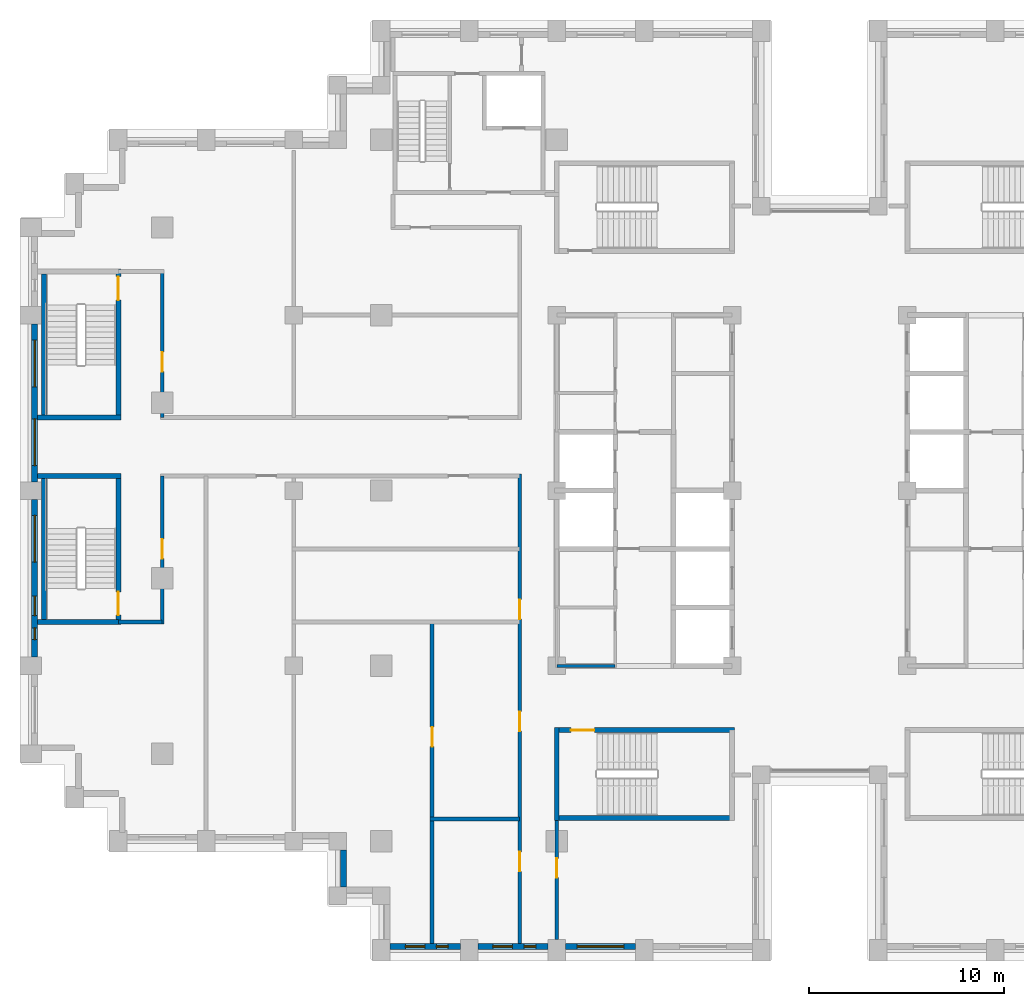
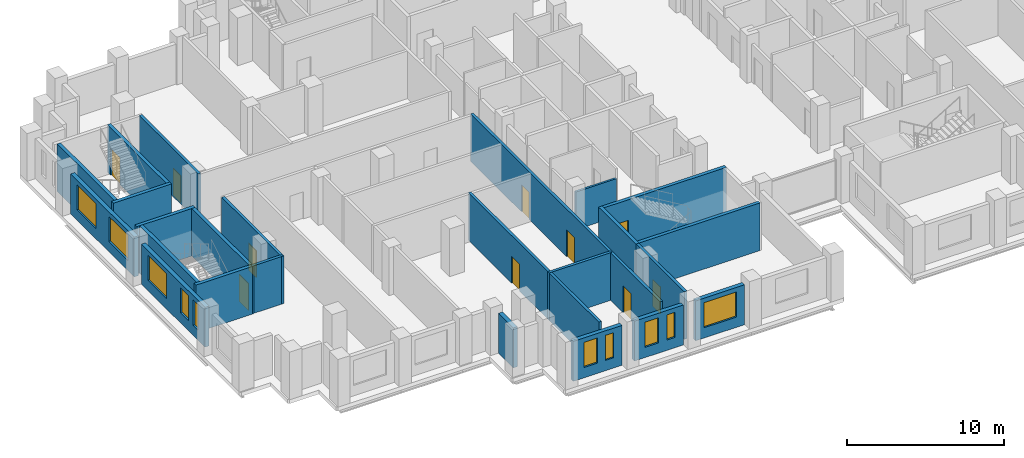
# One storey, part 6 of 15: 24 walls, 10 doors, 10 windows, 20 openings.
"""IFC4 building model written with IfcOpenShell, lengths in metres."""

from ifc_helpers import new_model, si_unit, direction, frame, frame_2d, origin, place, context, subcontext, project, spatial, rectangle, extrude, material, layer, layer_set, type_object, element, fill, save


model = new_model("IFC4")

# Units and contexts
model_context = context("Model", 3, precision=1e-05, world=origin(), true_north=direction((0.0, 1.0)))
body_context = subcontext(model_context, "Body", "Model", "MODEL_VIEW")
ifc_project = project(units=[si_unit("LENGTHUNIT", "METRE"), si_unit("AREAUNIT", "SQUARE_METRE"), si_unit("VOLUMEUNIT", "CUBIC_METRE"), si_unit("PLANEANGLEUNIT", "RADIAN"), si_unit("MASSUNIT", "GRAM", prefix="KILO")], contexts=[model_context])

# Site, building, storey
site_placement = place(None, origin())
site = spatial("IfcSite", under=ifc_project, at=site_placement, CompositionType="ELEMENT")
building_placement = place(site_placement, origin())
building = spatial("IfcBuilding", under=site, at=building_placement, Name="Corbelhall Arena Tower", CompositionType="ELEMENT")
storey_placement = place(building_placement, frame((0.0, 0.0, 134.0)))
storey = spatial("IfcBuildingStorey", under=building, at=storey_placement, Name="L25", CompositionType="ELEMENT", Elevation=134.0)

# Wall, openings, windows
ifc_material_1 = material(Name="Precast concrete C40/50 with granite facing", Category="masonry")
ifc_layer_1 = layer(ifc_material_1, 0.300048828125)
ifc_layer_set_1 = layer_set([ifc_layer_1], Name="EV-IW1 Infill panel 300")
wall_type_1 = type_object("IfcWallType", Name="EV-IW1 Infill panel 300", PredefinedType="SOLIDWALL", material=ifc_layer_set_1)
wall_1_placement = place(storey_placement, frame((-40.300048828125, 8.550048828125, 0.0), z_axis=(0.0, 0.0, 1.0), x_axis=(0.0, -1.0, 0.0)))
wall_1 = element("IfcWall", 1, at=wall_1_placement, inside=storey, type_object=wall_type_1, Name="Infill panel IW1", PredefinedType="SOLIDWALL", context=body_context, shape_type="SweptSolid", body=[
    extrude(rectangle(XDim=8.10009765625, YDim=0.300048828125, at=frame_2d((4.050048828125, 0.0))), origin(), (0.0, 0.0, 1.0), 3.10009765625),
])
opening_1_placement = place(wall_1_placement, frame((0.824951171875, 0.0, 0.800048828125)))
opening_1 = element("IfcOpeningElement", 2, at=opening_1_placement, cuts=wall_1, Name="Opening WN1", PredefinedType="OPENING", context=body_context, shape_type="SweptSolid", body=[
    extrude(rectangle(XDim=2.39990234375, YDim=1.949951171875, at=frame_2d((1.199951171875, 0.97509765625))), frame((0.0, 0.14990234375, 0.0), z_axis=(0.0, -1.0, 0.0), x_axis=(1.0, 0.0, 0.0)), (0.0, 0.0, 1.0), 0.300048828125),
])
opening_2_placement = place(wall_1_placement, frame((4.875, 0.0, 0.800048828125)))
opening_2 = element("IfcOpeningElement", 3, at=opening_2_placement, cuts=wall_1, Name="Opening WN1", PredefinedType="OPENING", context=body_context, shape_type="SweptSolid", body=[
    extrude(rectangle(XDim=2.39990234375, YDim=1.949951171875, at=frame_2d((1.199951171875, 0.97509765625))), frame((0.0, 0.14990234375, 0.0), z_axis=(0.0, -1.0, 0.0), x_axis=(1.0, 0.0, 0.0)), (0.0, 0.0, 1.0), 0.300048828125),
])
ifc_material_2 = material(Name="Aluminium black anodised", Category="aluminium")
window_type_1 = type_object("IfcWindowType", Name="EV-WN1 Office window", PartitioningType="SINGLE_PANEL", PredefinedType="WINDOW", material=ifc_material_2)
window_1_placement = place(opening_1_placement, origin())
window_1 = element("IfcWindow", 4, at=window_1_placement, inside=storey, type_object=window_type_1, Name="Window WN1", OverallHeight=1.949951171875, OverallWidth=2.39990234375, PartitioningType="SINGLE_PANEL", PredefinedType="WINDOW", context=body_context, shape_type="SweptSolid", body=[
    extrude(rectangle(XDim=2.39990234375, YDim=1.949951171875, at=frame_2d((1.199951171875, 0.97509765625))), frame((0.0, 0.030029296875, 0.0), z_axis=(0.0, -1.0, 0.0), x_axis=(1.0, 0.0, 0.0)), (0.0, 0.0, 1.0), 0.06005859375),
])
fill(opening_1, window_1)
window_2_placement = place(opening_2_placement, origin())
window_2 = element("IfcWindow", 5, at=window_2_placement, inside=storey, type_object=window_type_1, Name="Window WN1", OverallHeight=1.949951171875, OverallWidth=2.39990234375, PartitioningType="SINGLE_PANEL", PredefinedType="WINDOW", context=body_context, shape_type="SweptSolid", body=[
    extrude(rectangle(XDim=2.39990234375, YDim=1.949951171875, at=frame_2d((1.199951171875, 0.97509765625))), frame((0.0, 0.030029296875, 0.0), z_axis=(0.0, -1.0, 0.0), x_axis=(1.0, 0.0, 0.0)), (0.0, 0.0, 1.0), 0.06005859375),
])
fill(opening_2, window_2)

wall_2_placement = place(storey_placement, frame((-40.300048828125, -0.449951171875, 0.0), z_axis=(0.0, 0.0, 1.0), x_axis=(0.0, -1.0, 0.0)))
wall_2 = element("IfcWall", 6, at=wall_2_placement, inside=storey, type_object=wall_type_1, Name="Infill panel IW1", PredefinedType="SOLIDWALL", context=body_context, shape_type="SweptSolid", body=[
    extrude(rectangle(XDim=8.10009765625, YDim=0.300048828125, at=frame_2d((4.050048828125, 0.0))), origin(), (0.0, 0.0, 1.0), 3.10009765625),
])
opening_3_placement = place(wall_2_placement, frame((0.824951171875, 0.0, 0.800048828125)))
opening_3 = element("IfcOpeningElement", 7, at=opening_3_placement, cuts=wall_2, Name="Opening WN1", PredefinedType="OPENING", context=body_context, shape_type="SweptSolid", body=[
    extrude(rectangle(XDim=2.39990234375, YDim=1.949951171875, at=frame_2d((1.199951171875, 0.97509765625))), frame((0.0, 0.14990234375, 0.0), z_axis=(0.0, -1.0, 0.0), x_axis=(1.0, 0.0, 0.0)), (0.0, 0.0, 1.0), 0.300048828125),
])
opening_4_placement = place(wall_2_placement, frame((4.97509765625, 0.0, 0.800048828125)))
opening_4 = element("IfcOpeningElement", 8, at=opening_4_placement, cuts=wall_2, Name="Opening WN6", PredefinedType="OPENING", context=body_context, shape_type="SweptSolid", body=[
    extrude(rectangle(XDim=1.0, YDim=1.949951171875, at=frame_2d((0.5, 0.97509765625))), frame((0.0, 0.14990234375, 0.0), z_axis=(0.0, -1.0, 0.0), x_axis=(1.0, 0.0, 0.0)), (0.0, 0.0, 1.0), 0.300048828125),
])
opening_5_placement = place(wall_2_placement, frame((6.60009765625, 0.0, 0.800048828125)))
opening_5 = element("IfcOpeningElement", 9, at=opening_5_placement, cuts=wall_2, Name="Opening WN5", PredefinedType="OPENING", context=body_context, shape_type="SweptSolid", body=[
    extrude(rectangle(XDim=0.60009765625, YDim=1.949951171875, at=frame_2d((0.300048828125, 0.97509765625))), frame((0.0, 0.14990234375, 0.0), z_axis=(0.0, -1.0, 0.0), x_axis=(1.0, 0.0, 0.0)), (0.0, 0.0, 1.0), 0.300048828125),
])
window_3_placement = place(opening_3_placement, origin())
window_3 = element("IfcWindow", 10, at=window_3_placement, inside=storey, type_object=window_type_1, Name="Window WN1", OverallHeight=1.949951171875, OverallWidth=2.39990234375, PartitioningType="SINGLE_PANEL", PredefinedType="WINDOW", context=body_context, shape_type="SweptSolid", body=[
    extrude(rectangle(XDim=2.39990234375, YDim=1.949951171875, at=frame_2d((1.199951171875, 0.97509765625))), frame((0.0, 0.030029296875, 0.0), z_axis=(0.0, -1.0, 0.0), x_axis=(1.0, 0.0, 0.0)), (0.0, 0.0, 1.0), 0.06005859375),
])
fill(opening_3, window_3)
window_type_2 = type_object("IfcWindowType", Name="EV-WN5 Office window 600", PartitioningType="SINGLE_PANEL", PredefinedType="WINDOW", material=ifc_material_2)
window_4_placement = place(opening_5_placement, origin())
window_4 = element("IfcWindow", 11, at=window_4_placement, inside=storey, type_object=window_type_2, Name="Window WN5", OverallHeight=1.949951171875, OverallWidth=0.60009765625, PartitioningType="SINGLE_PANEL", PredefinedType="WINDOW", context=body_context, shape_type="SweptSolid", body=[
    extrude(rectangle(XDim=0.60009765625, YDim=1.949951171875, at=frame_2d((0.300048828125, 0.97509765625))), frame((0.0, 0.030029296875, 0.0), z_axis=(0.0, -1.0, 0.0), x_axis=(1.0, 0.0, 0.0)), (0.0, 0.0, 1.0), 0.06005859375),
])
fill(opening_5, window_4)
window_type_3 = type_object("IfcWindowType", Name="EV-WN6 Office window 1000", PartitioningType="SINGLE_PANEL", PredefinedType="WINDOW", material=ifc_material_2)
window_5_placement = place(opening_4_placement, origin())
window_5 = element("IfcWindow", 12, at=window_5_placement, inside=storey, type_object=window_type_3, Name="Window WN6", OverallHeight=1.949951171875, OverallWidth=1.0, PartitioningType="SINGLE_PANEL", PredefinedType="WINDOW", context=body_context, shape_type="SweptSolid", body=[
    extrude(rectangle(XDim=1.0, YDim=1.949951171875, at=frame_2d((0.5, 0.97509765625))), frame((0.0, 0.030029296875, 0.0), z_axis=(0.0, -1.0, 0.0), x_axis=(1.0, 0.0, 0.0)), (0.0, 0.0, 1.0), 0.06005859375),
])
fill(opening_4, window_5)

# Wall
wall_3_placement = place(storey_placement, frame((-24.449951171875, -18.449951171875, 0.0), z_axis=(0.0, 0.0, 1.0), x_axis=(0.0, -1.0, 0.0)))
element("IfcWall", 13, at=wall_3_placement, inside=storey, type_object=wall_type_1, Name="Infill panel IW1", PredefinedType="SOLIDWALL", context=body_context, shape_type="SweptSolid", body=[
    extrude(rectangle(XDim=1.900146484375, YDim=0.300048828125, at=frame_2d((0.9501953125, 0.0))), origin(), (0.0, 0.0, 1.0), 3.10009765625),
])

# Wall, openings, windows
wall_4_placement = place(storey_placement, frame((-22.050048828125, -23.39990234375, 0.0), z_axis=(0.0, 0.0, 1.0), x_axis=(1.0, 0.0, 0.0)))
wall_4 = element("IfcWall", 14, at=wall_4_placement, inside=storey, type_object=wall_type_1, Name="Infill panel IW1", PredefinedType="SOLIDWALL", context=body_context, shape_type="SweptSolid", body=[
    extrude(rectangle(XDim=3.60009765625, YDim=0.300048828125, at=frame_2d((1.800048828125, 0.0))), origin(), (0.0, 0.0, 1.0), 3.10009765625),
])
opening_6_placement = place(wall_4_placement, frame((0.77490234375, 0.0, 0.800048828125)))
opening_6 = element("IfcOpeningElement", 15, at=opening_6_placement, cuts=wall_4, Name="Opening WN6", PredefinedType="OPENING", context=body_context, shape_type="SweptSolid", body=[
    extrude(rectangle(XDim=1.0, YDim=1.949951171875, at=frame_2d((0.5, 0.97509765625))), frame((0.0, 0.14990234375, 0.0), z_axis=(0.0, -1.0, 0.0), x_axis=(1.0, 0.0, 0.0)), (0.0, 0.0, 1.0), 0.300048828125),
])
opening_7_placement = place(wall_4_placement, frame((2.375, 0.0, 0.800048828125)))
opening_7 = element("IfcOpeningElement", 16, at=opening_7_placement, cuts=wall_4, Name="Opening WN5", PredefinedType="OPENING", context=body_context, shape_type="SweptSolid", body=[
    extrude(rectangle(XDim=0.60009765625, YDim=1.949951171875, at=frame_2d((0.300048828125, 0.97509765625))), frame((0.0, 0.14990234375, 0.0), z_axis=(0.0, -1.0, 0.0), x_axis=(1.0, 0.0, 0.0)), (0.0, 0.0, 1.0), 0.300048828125),
])
window_6_placement = place(opening_7_placement, origin())
window_6 = element("IfcWindow", 17, at=window_6_placement, inside=storey, type_object=window_type_2, Name="Window WN5", OverallHeight=1.949951171875, OverallWidth=0.60009765625, PartitioningType="SINGLE_PANEL", PredefinedType="WINDOW", context=body_context, shape_type="SweptSolid", body=[
    extrude(rectangle(XDim=0.60009765625, YDim=1.949951171875, at=frame_2d((0.300048828125, 0.97509765625))), frame((0.0, 0.030029296875, 0.0), z_axis=(0.0, -1.0, 0.0), x_axis=(1.0, 0.0, 0.0)), (0.0, 0.0, 1.0), 0.06005859375),
])
fill(opening_7, window_6)
window_7_placement = place(opening_6_placement, origin())
window_7 = element("IfcWindow", 18, at=window_7_placement, inside=storey, type_object=window_type_3, Name="Window WN6", OverallHeight=1.949951171875, OverallWidth=1.0, PartitioningType="SINGLE_PANEL", PredefinedType="WINDOW", context=body_context, shape_type="SweptSolid", body=[
    extrude(rectangle(XDim=1.0, YDim=1.949951171875, at=frame_2d((0.5, 0.97509765625))), frame((0.0, 0.030029296875, 0.0), z_axis=(0.0, -1.0, 0.0), x_axis=(1.0, 0.0, 0.0)), (0.0, 0.0, 1.0), 0.06005859375),
])
fill(opening_6, window_7)

wall_5_placement = place(storey_placement, frame((-17.550048828125, -23.39990234375, 0.0), z_axis=(0.0, 0.0, 1.0), x_axis=(1.0, 0.0, 0.0)))
wall_5 = element("IfcWall", 19, at=wall_5_placement, inside=storey, type_object=wall_type_1, Name="Infill panel IW1", PredefinedType="SOLIDWALL", context=body_context, shape_type="SweptSolid", body=[
    extrude(rectangle(XDim=3.60009765625, YDim=0.300048828125, at=frame_2d((1.800048828125, 0.0))), origin(), (0.0, 0.0, 1.0), 3.10009765625),
])
opening_8_placement = place(wall_5_placement, frame((0.77490234375, 0.0, 0.800048828125)))
opening_8 = element("IfcOpeningElement", 20, at=opening_8_placement, cuts=wall_5, Name="Opening WN6", PredefinedType="OPENING", context=body_context, shape_type="SweptSolid", body=[
    extrude(rectangle(XDim=1.0, YDim=1.949951171875, at=frame_2d((0.5, 0.97509765625))), frame((0.0, 0.14990234375, 0.0), z_axis=(0.0, -1.0, 0.0), x_axis=(1.0, 0.0, 0.0)), (0.0, 0.0, 1.0), 0.300048828125),
])
opening_9_placement = place(wall_5_placement, frame((2.375, 0.0, 0.800048828125)))
opening_9 = element("IfcOpeningElement", 21, at=opening_9_placement, cuts=wall_5, Name="Opening WN5", PredefinedType="OPENING", context=body_context, shape_type="SweptSolid", body=[
    extrude(rectangle(XDim=0.60009765625, YDim=1.949951171875, at=frame_2d((0.300048828125, 0.97509765625))), frame((0.0, 0.14990234375, 0.0), z_axis=(0.0, -1.0, 0.0), x_axis=(1.0, 0.0, 0.0)), (0.0, 0.0, 1.0), 0.300048828125),
])
window_8_placement = place(opening_9_placement, origin())
window_8 = element("IfcWindow", 22, at=window_8_placement, inside=storey, type_object=window_type_2, Name="Window WN5", OverallHeight=1.949951171875, OverallWidth=0.60009765625, PartitioningType="SINGLE_PANEL", PredefinedType="WINDOW", context=body_context, shape_type="SweptSolid", body=[
    extrude(rectangle(XDim=0.60009765625, YDim=1.949951171875, at=frame_2d((0.300048828125, 0.97509765625))), frame((0.0, 0.030029296875, 0.0), z_axis=(0.0, -1.0, 0.0), x_axis=(1.0, 0.0, 0.0)), (0.0, 0.0, 1.0), 0.06005859375),
])
fill(opening_9, window_8)
window_9_placement = place(opening_8_placement, origin())
window_9 = element("IfcWindow", 23, at=window_9_placement, inside=storey, type_object=window_type_3, Name="Window WN6", OverallHeight=1.949951171875, OverallWidth=1.0, PartitioningType="SINGLE_PANEL", PredefinedType="WINDOW", context=body_context, shape_type="SweptSolid", body=[
    extrude(rectangle(XDim=1.0, YDim=1.949951171875, at=frame_2d((0.5, 0.97509765625))), frame((0.0, 0.030029296875, 0.0), z_axis=(0.0, -1.0, 0.0), x_axis=(1.0, 0.0, 0.0)), (0.0, 0.0, 1.0), 0.06005859375),
])
fill(opening_8, window_9)

# Wall, opening, window
wall_6_placement = place(storey_placement, frame((-13.050048828125, -23.39990234375, 0.0), z_axis=(0.0, 0.0, 1.0), x_axis=(1.0, 0.0, 0.0)))
wall_6 = element("IfcWall", 24, at=wall_6_placement, inside=storey, type_object=wall_type_1, Name="Infill panel IW1", PredefinedType="SOLIDWALL", context=body_context, shape_type="SweptSolid", body=[
    extrude(rectangle(XDim=3.60009765625, YDim=0.300048828125, at=frame_2d((1.800048828125, 0.0))), origin(), (0.0, 0.0, 1.0), 3.10009765625),
])
opening_10_placement = place(wall_6_placement, frame((0.60009765625, 0.0, 0.800048828125)))
opening_10 = element("IfcOpeningElement", 25, at=opening_10_placement, cuts=wall_6, Name="Opening WN1", PredefinedType="OPENING", context=body_context, shape_type="SweptSolid", body=[
    extrude(rectangle(XDim=2.39990234375, YDim=1.949951171875, at=frame_2d((1.199951171875, 0.97509765625))), frame((0.0, 0.14990234375, 0.0), z_axis=(0.0, -1.0, 0.0), x_axis=(1.0, 0.0, 0.0)), (0.0, 0.0, 1.0), 0.300048828125),
])
window_10_placement = place(opening_10_placement, origin())
window_10 = element("IfcWindow", 26, at=window_10_placement, inside=storey, type_object=window_type_1, Name="Window WN1", OverallHeight=1.949951171875, OverallWidth=2.39990234375, PartitioningType="SINGLE_PANEL", PredefinedType="WINDOW", context=body_context, shape_type="SweptSolid", body=[
    extrude(rectangle(XDim=2.39990234375, YDim=1.949951171875, at=frame_2d((1.199951171875, 0.97509765625))), frame((0.0, 0.030029296875, 0.0), z_axis=(0.0, -1.0, 0.0), x_axis=(1.0, 0.0, 0.0)), (0.0, 0.0, 1.0), 0.06005859375),
])
fill(opening_10, window_10)

# Wall
ifc_material_3 = material(Name="Gypsum board on steel stud, acoustic", Category="steel")
ifc_layer_2 = layer(ifc_material_3, 0.199951171875)
ifc_layer_set_2 = layer_set([ifc_layer_2], Name="IN-W-DM200")
wall_type_2 = type_object("IfcWallType", Name="IN-W-DM200", PredefinedType="PARTITIONING", material=ifc_layer_set_2)
wall_7_placement = place(storey_placement, frame((-33.75, -6.75, 0.0), z_axis=(0.0, 0.0, 1.0), x_axis=(-1.0, 0.0, 0.0)))
element("IfcWall", 27, at=wall_7_placement, inside=storey, type_object=wall_type_2, Name="Partition 003", PredefinedType="PARTITIONING", context=body_context, shape_type="SweptSolid", body=[
    extrude(rectangle(XDim=2.25, YDim=0.199951171875, at=frame_2d((1.125, 0.0))), origin(), (0.0, 0.0, 1.0), 3.699951171875),
])

# Wall, opening, door
wall_8_placement = place(storey_placement, frame((-33.75, 0.75, 0.0), z_axis=(0.0, 0.0, 1.0), x_axis=(0.0, -1.0, 0.0)))
wall_8 = element("IfcWall", 28, at=wall_8_placement, inside=storey, type_object=wall_type_2, Name="Partition 004", PredefinedType="PARTITIONING", context=body_context, shape_type="SweptSolid", body=[
    extrude(rectangle(XDim=7.60009765625, YDim=0.199951171875, at=frame_2d((3.800048828125, 0.0))), origin(), (0.0, 0.0, 1.0), 3.699951171875),
])
opening_11_placement = place(wall_8_placement, frame((3.25, 0.0, 0.0)))
opening_11 = element("IfcOpeningElement", 29, at=opening_11_placement, cuts=wall_8, Name="Opening 06044", PredefinedType="OPENING", context=body_context, shape_type="SweptSolid", body=[
    extrude(rectangle(XDim=1.0, YDim=2.10009765625, at=frame_2d((0.5, 1.050048828125))), frame((0.0, 0.10009765625, 0.0), z_axis=(0.0, -1.0, 0.0), x_axis=(1.0, 0.0, 0.0)), (0.0, 0.0, 1.0), 0.199951171875),
])
ifc_material_4 = material(Name="Steel door set", Category="steel")
door_type_1 = type_object("IfcDoorType", Name="IN-D-SW100", OperationType="NOTDEFINED", PredefinedType="DOOR", material=ifc_material_4)
door_1_placement = place(opening_11_placement, origin())
door_1 = element("IfcDoor", 30, at=door_1_placement, inside=storey, type_object=door_type_1, Name="Door 044", OperationType="SINGLE_SWING_LEFT", OverallHeight=2.10009765625, OverallWidth=1.0, PredefinedType="DOOR", context=body_context, shape_type="SweptSolid", body=[
    extrude(rectangle(XDim=1.0, YDim=2.10009765625, at=frame_2d((0.5, 1.050048828125))), frame((0.0, 0.02490234375, 0.0), z_axis=(0.0, -1.0, 0.0), x_axis=(1.0, 0.0, 0.0)), (0.0, 0.0, 1.0), 0.050048828125),
])
fill(opening_11, door_1)

wall_9_placement = place(storey_placement, frame((-33.75, 11.25, 0.0), z_axis=(0.0, 0.0, 1.0), x_axis=(0.0, -1.0, 0.0)))
wall_9 = element("IfcWall", 31, at=wall_9_placement, inside=storey, type_object=wall_type_2, Name="Partition 005", PredefinedType="PARTITIONING", context=body_context, shape_type="SweptSolid", body=[
    extrude(rectangle(XDim=7.5, YDim=0.199951171875, at=frame_2d((3.75, 0.0))), origin(), (0.0, 0.0, 1.0), 3.699951171875),
])
opening_12_placement = place(wall_9_placement, frame((4.14990234375, 0.0, 0.0)))
opening_12 = element("IfcOpeningElement", 32, at=opening_12_placement, cuts=wall_9, Name="Opening 06043", PredefinedType="OPENING", context=body_context, shape_type="SweptSolid", body=[
    extrude(rectangle(XDim=1.0, YDim=2.10009765625, at=frame_2d((0.5, 1.050048828125))), frame((0.0, 0.10009765625, 0.0), z_axis=(0.0, -1.0, 0.0), x_axis=(1.0, 0.0, 0.0)), (0.0, 0.0, 1.0), 0.199951171875),
])
door_2_placement = place(opening_12_placement, origin())
door_2 = element("IfcDoor", 33, at=door_2_placement, inside=storey, type_object=door_type_1, Name="Door 043", OperationType="SINGLE_SWING_RIGHT", OverallHeight=2.10009765625, OverallWidth=1.0, PredefinedType="DOOR", context=body_context, shape_type="SweptSolid", body=[
    extrude(rectangle(XDim=1.0, YDim=2.10009765625, at=frame_2d((0.5, 1.050048828125))), frame((0.0, 0.02490234375, 0.0), z_axis=(0.0, -1.0, 0.0), x_axis=(1.0, 0.0, 0.0)), (0.0, 0.0, 1.0), 0.050048828125),
])
fill(opening_12, door_2)

# Wall
wall_10_placement = place(storey_placement, frame((-20.0, -16.85009765625, 0.0), z_axis=(0.0, 0.0, 1.0), x_axis=(1.0, 0.0, 0.0)))
element("IfcWall", 34, at=wall_10_placement, inside=storey, type_object=wall_type_2, Name="Partition 015", PredefinedType="PARTITIONING", context=body_context, shape_type="SweptSolid", body=[
    extrude(rectangle(XDim=4.60009765625, YDim=0.199951171875, at=frame_2d((2.300048828125, 0.0))), origin(), (0.0, 0.0, 1.0), 3.699951171875),
])

# Wall, opening, door
wall_11_placement = place(storey_placement, frame((-19.89990234375, -23.25, 0.0), z_axis=(0.0, 0.0, 1.0), x_axis=(0.0, 1.0, 0.0)))
wall_11 = element("IfcWall", 35, at=wall_11_placement, inside=storey, type_object=wall_type_2, Name="Partition 016", PredefinedType="PARTITIONING", context=body_context, shape_type="SweptSolid", body=[
    extrude(rectangle(XDim=16.60009765625, YDim=0.199951171875, at=frame_2d((8.300048828125, 0.0))), origin(), (0.0, 0.0, 1.0), 3.699951171875),
])
opening_13_placement = place(wall_11_placement, frame((10.10009765625, 0.0, 0.0)))
opening_13 = element("IfcOpeningElement", 36, at=opening_13_placement, cuts=wall_11, Name="Opening 06031", PredefinedType="OPENING", context=body_context, shape_type="SweptSolid", body=[
    extrude(rectangle(XDim=1.0, YDim=2.10009765625, at=frame_2d((0.5, 1.050048828125))), frame((0.0, 0.10009765625, 0.0), z_axis=(0.0, -1.0, 0.0), x_axis=(1.0, 0.0, 0.0)), (0.0, 0.0, 1.0), 0.199951171875),
])
door_3_placement = place(opening_13_placement, origin())
door_3 = element("IfcDoor", 37, at=door_3_placement, inside=storey, type_object=door_type_1, Name="Door 031", OperationType="SINGLE_SWING_RIGHT", OverallHeight=2.10009765625, OverallWidth=1.0, PredefinedType="DOOR", context=body_context, shape_type="SweptSolid", body=[
    extrude(rectangle(XDim=1.0, YDim=2.10009765625, at=frame_2d((0.5, 1.050048828125))), frame((0.0, 0.02490234375, 0.0), z_axis=(0.0, -1.0, 0.0), x_axis=(1.0, 0.0, 0.0)), (0.0, 0.0, 1.0), 0.050048828125),
])
fill(opening_13, door_3)

# Wall, openings, doors
wall_12_placement = place(storey_placement, frame((-15.39990234375, -23.25, 0.0), z_axis=(0.0, 0.0, 1.0), x_axis=(0.0, 1.0, 0.0)))
wall_12 = element("IfcWall", 38, at=wall_12_placement, inside=storey, type_object=wall_type_2, Name="Partition 017", PredefinedType="PARTITIONING", context=body_context, shape_type="SweptSolid", body=[
    extrude(rectangle(XDim=24.10009765625, YDim=0.199951171875, at=frame_2d((12.050048828125, 0.0))), origin(), (0.0, 0.0, 1.0), 3.699951171875),
])
opening_14_placement = place(wall_12_placement, frame((3.699951171875, 0.0, 0.0)))
opening_14 = element("IfcOpeningElement", 39, at=opening_14_placement, cuts=wall_12, Name="Opening 06029", PredefinedType="OPENING", context=body_context, shape_type="SweptSolid", body=[
    extrude(rectangle(XDim=1.0, YDim=2.10009765625, at=frame_2d((0.5, 1.050048828125))), frame((0.0, 0.10009765625, 0.0), z_axis=(0.0, -1.0, 0.0), x_axis=(1.0, 0.0, 0.0)), (0.0, 0.0, 1.0), 0.199951171875),
])
opening_15_placement = place(wall_12_placement, frame((10.89990234375, 0.0, 0.0)))
opening_15 = element("IfcOpeningElement", 40, at=opening_15_placement, cuts=wall_12, Name="Opening 06030", PredefinedType="OPENING", context=body_context, shape_type="SweptSolid", body=[
    extrude(rectangle(XDim=1.0, YDim=2.10009765625, at=frame_2d((0.5, 1.050048828125))), frame((0.0, 0.10009765625, 0.0), z_axis=(0.0, -1.0, 0.0), x_axis=(1.0, 0.0, 0.0)), (0.0, 0.0, 1.0), 0.199951171875),
])
opening_16_placement = place(wall_12_placement, frame((16.64990234375, 0.0, 0.0)))
opening_16 = element("IfcOpeningElement", 41, at=opening_16_placement, cuts=wall_12, Name="Opening 06032", PredefinedType="OPENING", context=body_context, shape_type="SweptSolid", body=[
    extrude(rectangle(XDim=1.0, YDim=2.10009765625, at=frame_2d((0.5, 1.050048828125))), frame((0.0, 0.10009765625, 0.0), z_axis=(0.0, -1.0, 0.0), x_axis=(1.0, 0.0, 0.0)), (0.0, 0.0, 1.0), 0.199951171875),
])
door_4_placement = place(opening_14_placement, origin())
door_4 = element("IfcDoor", 42, at=door_4_placement, inside=storey, type_object=door_type_1, Name="Door 029", OperationType="SINGLE_SWING_RIGHT", OverallHeight=2.10009765625, OverallWidth=1.0, PredefinedType="DOOR", context=body_context, shape_type="SweptSolid", body=[
    extrude(rectangle(XDim=1.0, YDim=2.10009765625, at=frame_2d((0.5, 1.050048828125))), frame((0.0, 0.02490234375, 0.0), z_axis=(0.0, -1.0, 0.0), x_axis=(1.0, 0.0, 0.0)), (0.0, 0.0, 1.0), 0.050048828125),
])
fill(opening_14, door_4)
door_5_placement = place(opening_15_placement, origin())
door_5 = element("IfcDoor", 43, at=door_5_placement, inside=storey, type_object=door_type_1, Name="Door 030", OperationType="SINGLE_SWING_LEFT", OverallHeight=2.10009765625, OverallWidth=1.0, PredefinedType="DOOR", context=body_context, shape_type="SweptSolid", body=[
    extrude(rectangle(XDim=1.0, YDim=2.10009765625, at=frame_2d((0.5, 1.050048828125))), frame((0.0, 0.02490234375, 0.0), z_axis=(0.0, -1.0, 0.0), x_axis=(1.0, 0.0, 0.0)), (0.0, 0.0, 1.0), 0.050048828125),
])
fill(opening_15, door_5)
door_6_placement = place(opening_16_placement, origin())
door_6 = element("IfcDoor", 44, at=door_6_placement, inside=storey, type_object=door_type_1, Name="Door 032", OperationType="SINGLE_SWING_LEFT", OverallHeight=2.10009765625, OverallWidth=1.0, PredefinedType="DOOR", context=body_context, shape_type="SweptSolid", body=[
    extrude(rectangle(XDim=1.0, YDim=2.10009765625, at=frame_2d((0.5, 1.050048828125))), frame((0.0, 0.02490234375, 0.0), z_axis=(0.0, -1.0, 0.0), x_axis=(1.0, 0.0, 0.0)), (0.0, 0.0, 1.0), 0.050048828125),
])
fill(opening_16, door_6)

# Wall, opening, door
wall_13_placement = place(storey_placement, frame((-13.5, -16.675048828125, 0.0), z_axis=(0.0, 0.0, 1.0), x_axis=(0.0, -1.0, 0.0)))
wall_13 = element("IfcWall", 45, at=wall_13_placement, inside=storey, type_object=wall_type_2, Name="Partition 022", PredefinedType="PARTITIONING", context=body_context, shape_type="SweptSolid", body=[
    extrude(rectangle(XDim=6.375, YDim=0.199951171875, at=frame_2d((3.1875, 0.0))), origin(), (0.0, 0.0, 1.0), 3.699951171875),
])
opening_17_placement = place(wall_13_placement, frame((2.199951171875, 0.0, 0.0)))
opening_17 = element("IfcOpeningElement", 46, at=opening_17_placement, cuts=wall_13, Name="Opening 06025", PredefinedType="OPENING", context=body_context, shape_type="SweptSolid", body=[
    extrude(rectangle(XDim=1.0, YDim=2.10009765625, at=frame_2d((0.5, 1.050048828125))), frame((0.0, 0.10009765625, 0.0), z_axis=(0.0, -1.0, 0.0), x_axis=(1.0, 0.0, 0.0)), (0.0, 0.0, 1.0), 0.199951171875),
])
door_7_placement = place(opening_17_placement, origin())
door_7 = element("IfcDoor", 47, at=door_7_placement, inside=storey, type_object=door_type_1, Name="Door 025", OperationType="SINGLE_SWING_RIGHT", OverallHeight=2.10009765625, OverallWidth=1.0, PredefinedType="DOOR", context=body_context, shape_type="SweptSolid", body=[
    extrude(rectangle(XDim=1.0, YDim=2.10009765625, at=frame_2d((0.5, 1.050048828125))), frame((0.0, 0.02490234375, 0.0), z_axis=(0.0, -1.0, 0.0), x_axis=(1.0, 0.0, 0.0)), (0.0, 0.0, 1.0), 0.050048828125),
])
fill(opening_17, door_7)

# Walls
ifc_material_5 = material(Name="Concrete C40/50", Category="concrete")
ifc_layer_3 = layer(ifc_material_5, 0.25)
ifc_layer_set_3 = layer_set([ifc_layer_3], Name="IN-W-ST250")
wall_type_3 = type_object("IfcWallType", Name="IN-W-ST250", PredefinedType="SOLIDWALL", material=ifc_layer_set_3)
wall_14_placement = place(storey_placement, frame((-40.14990234375, 3.75, 0.0), z_axis=(0.0, 0.0, 1.0), x_axis=(1.0, 0.0, 0.0)))
element("IfcWall", 48, at=wall_14_placement, inside=storey, type_object=wall_type_3, Name="Shaft wall 086", PredefinedType="SOLIDWALL", context=body_context, shape_type="SweptSolid", body=[
    extrude(rectangle(XDim=4.27490234375, YDim=0.25, at=frame_2d((2.137451171875, 0.0))), origin(), (0.0, 0.0, 1.0), 3.699951171875),
])
wall_15_placement = place(storey_placement, frame((-36.0, -6.75, 0.0), z_axis=(0.0, 0.0, 1.0), x_axis=(-1.0, 0.0, 0.0)))
element("IfcWall", 49, at=wall_15_placement, inside=storey, type_object=wall_type_3, Name="Shaft wall 088", PredefinedType="SOLIDWALL", context=body_context, shape_type="SweptSolid", body=[
    extrude(rectangle(XDim=4.14990234375, YDim=0.25, at=frame_2d((2.074951171875, 0.0))), origin(), (0.0, 0.0, 1.0), 3.699951171875),
])

# Wall, opening, door
wall_16_placement = place(storey_placement, frame((-36.0, 0.75, 0.0), z_axis=(0.0, 0.0, 1.0), x_axis=(0.0, -1.0, 0.0)))
wall_16 = element("IfcWall", 50, at=wall_16_placement, inside=storey, type_object=wall_type_3, Name="Shaft wall 089", PredefinedType="SOLIDWALL", context=body_context, shape_type="SweptSolid", body=[
    extrude(rectangle(XDim=7.625, YDim=0.25, at=frame_2d((3.8125, 0.0))), origin(), (0.0, 0.0, 1.0), 3.699951171875),
])
opening_18_placement = place(wall_16_placement, frame((5.949951171875, 0.0, 0.0)))
opening_18 = element("IfcOpeningElement", 51, at=opening_18_placement, cuts=wall_16, Name="Opening 06020", PredefinedType="OPENING", context=body_context, shape_type="SweptSolid", body=[
    extrude(rectangle(XDim=1.199951171875, YDim=2.10009765625, at=frame_2d((0.60009765625, 1.050048828125))), frame((0.0, 0.125, 0.0), z_axis=(0.0, -1.0, 0.0), x_axis=(1.0, 0.0, 0.0)), (0.0, 0.0, 1.0), 0.25),
])
door_type_2 = type_object("IfcDoorType", Name="IN-D-ST120", OperationType="NOTDEFINED", PredefinedType="DOOR", material=ifc_material_4)
door_8_placement = place(opening_18_placement, origin())
door_8 = element("IfcDoor", 52, at=door_8_placement, inside=storey, type_object=door_type_2, Name="Door 020", OperationType="SINGLE_SWING_LEFT", OverallHeight=2.10009765625, OverallWidth=1.199951171875, PredefinedType="DOOR", context=body_context, shape_type="SweptSolid", body=[
    extrude(rectangle(XDim=1.199951171875, YDim=2.10009765625, at=frame_2d((0.60009765625, 1.050048828125))), frame((0.0, 0.02490234375, 0.0), z_axis=(0.0, -1.0, 0.0), x_axis=(1.0, 0.0, 0.0)), (0.0, 0.0, 1.0), 0.050048828125),
])
fill(opening_18, door_8)

wall_17_placement = place(storey_placement, frame((-36.0, 11.375, 0.0), z_axis=(0.0, 0.0, 1.0), x_axis=(0.0, -1.0, 0.0)))
wall_17 = element("IfcWall", 53, at=wall_17_placement, inside=storey, type_object=wall_type_3, Name="Shaft wall 090", PredefinedType="SOLIDWALL", context=body_context, shape_type="SweptSolid", body=[
    extrude(rectangle(XDim=7.625, YDim=0.25, at=frame_2d((3.8125, 0.0))), origin(), (0.0, 0.0, 1.0), 3.699951171875),
])
opening_19_placement = place(wall_17_placement, frame((0.39990234375, 0.0, 0.0)))
opening_19 = element("IfcOpeningElement", 54, at=opening_19_placement, cuts=wall_17, Name="Opening 06019", PredefinedType="OPENING", context=body_context, shape_type="SweptSolid", body=[
    extrude(rectangle(XDim=1.199951171875, YDim=2.10009765625, at=frame_2d((0.60009765625, 1.050048828125))), frame((0.0, 0.125, 0.0), z_axis=(0.0, -1.0, 0.0), x_axis=(1.0, 0.0, 0.0)), (0.0, 0.0, 1.0), 0.25),
])
door_9_placement = place(opening_19_placement, origin())
door_9 = element("IfcDoor", 55, at=door_9_placement, inside=storey, type_object=door_type_2, Name="Door 019", OperationType="SINGLE_SWING_RIGHT", OverallHeight=2.10009765625, OverallWidth=1.199951171875, PredefinedType="DOOR", context=body_context, shape_type="SweptSolid", body=[
    extrude(rectangle(XDim=1.199951171875, YDim=2.10009765625, at=frame_2d((0.60009765625, 1.050048828125))), frame((0.0, 0.02490234375, 0.0), z_axis=(0.0, -1.0, 0.0), x_axis=(1.0, 0.0, 0.0)), (0.0, 0.0, 1.0), 0.050048828125),
])
fill(opening_19, door_9)

# Walls
wall_18_placement = place(storey_placement, frame((-35.875, 0.75, 0.0), z_axis=(0.0, 0.0, 1.0), x_axis=(-1.0, 0.0, 0.0)))
element("IfcWall", 56, at=wall_18_placement, inside=storey, type_object=wall_type_3, Name="Shaft wall 091", PredefinedType="SOLIDWALL", context=body_context, shape_type="SweptSolid", body=[
    extrude(rectangle(XDim=4.27490234375, YDim=0.25, at=frame_2d((2.137451171875, 0.0))), origin(), (0.0, 0.0, 1.0), 3.699951171875),
])
wall_19_placement = place(storey_placement, frame((-13.5, -12.175048828125, 0.0), z_axis=(0.0, 0.0, 1.0), x_axis=(0.0, -1.0, 0.0)))
element("IfcWall", 57, at=wall_19_placement, inside=storey, type_object=wall_type_3, Name="Shaft wall 092", PredefinedType="SOLIDWALL", context=body_context, shape_type="SweptSolid", body=[
    extrude(rectangle(XDim=4.75, YDim=0.25, at=frame_2d((2.375, 0.0))), origin(), (0.0, 0.0, 1.0), 3.699951171875),
])
wall_20_placement = place(storey_placement, frame((-4.5, -16.800048828125, 0.0), z_axis=(0.0, 0.0, 1.0), x_axis=(-1.0, 0.0, 0.0)))
element("IfcWall", 58, at=wall_20_placement, inside=storey, type_object=wall_type_3, Name="Shaft wall 096", PredefinedType="SOLIDWALL", context=body_context, shape_type="SweptSolid", body=[
    extrude(rectangle(XDim=9.0, YDim=0.25, at=frame_2d((4.5, 0.0))), origin(), (0.0, 0.0, 1.0), 3.699951171875),
])

# Wall, opening, door
wall_21_placement = place(storey_placement, frame((-4.375, -12.300048828125, 0.0), z_axis=(0.0, 0.0, 1.0), x_axis=(-1.0, 0.0, 0.0)))
wall_21 = element("IfcWall", 59, at=wall_21_placement, inside=storey, type_object=wall_type_3, Name="Shaft wall 099", PredefinedType="SOLIDWALL", context=body_context, shape_type="SweptSolid", body=[
    extrude(rectangle(XDim=9.125, YDim=0.25, at=frame_2d((4.5625, 0.0))), origin(), (0.0, 0.0, 1.0), 3.699951171875),
])
opening_20_placement = place(wall_21_placement, frame((7.199951171875, 0.0, 0.0)))
opening_20 = element("IfcOpeningElement", 60, at=opening_20_placement, cuts=wall_21, Name="Opening 06016", PredefinedType="OPENING", context=body_context, shape_type="SweptSolid", body=[
    extrude(rectangle(XDim=1.199951171875, YDim=2.10009765625, at=frame_2d((0.60009765625, 1.050048828125))), frame((0.0, 0.125, 0.0), z_axis=(0.0, -1.0, 0.0), x_axis=(1.0, 0.0, 0.0)), (0.0, 0.0, 1.0), 0.25),
])
door_10_placement = place(opening_20_placement, origin())
door_10 = element("IfcDoor", 61, at=door_10_placement, inside=storey, type_object=door_type_2, Name="Door 016", OperationType="SINGLE_SWING_LEFT", OverallHeight=2.10009765625, OverallWidth=1.199951171875, PredefinedType="DOOR", context=body_context, shape_type="SweptSolid", body=[
    extrude(rectangle(XDim=1.199951171875, YDim=2.10009765625, at=frame_2d((0.60009765625, 1.050048828125))), frame((0.0, 0.02490234375, 0.0), z_axis=(0.0, -1.0, 0.0), x_axis=(1.0, 0.0, 0.0)), (0.0, 0.0, 1.0), 0.050048828125),
])
fill(opening_20, door_10)

# Walls
for number, where, z_axis, x_axis, name in (
    (62, (-39.824951171875, 3.875, 0.0), (0.0, 0.0, 1.0), (0.0, 1.0, 0.0), "Shaft wall SC1 facade side"),
    (63, (-39.824951171875, -6.625, 0.0), (0.0, 0.0, 1.0), (0.0, 1.0, 0.0), "Shaft wall SC2 facade side"),
):
    element("IfcWall", number, at=place(storey_placement, frame(where, z_axis=z_axis, x_axis=x_axis)), inside=storey, type_object=wall_type_3, Name=name, PredefinedType="SOLIDWALL", context=body_context, shape_type="SweptSolid", body=[
        extrude(rectangle(XDim=7.25, YDim=0.25, at=frame_2d((3.625, 0.0))), origin(), (0.0, 0.0, 1.0), 3.699951171875),
    ])
ifc_material_6 = material(Name="Gypsum board on steel stud, moisture resistant", Category="steel")
ifc_layer_4 = layer(ifc_material_6, 0.14990234375)
ifc_layer_set_4 = layer_set([ifc_layer_4], Name="IN-W-WC150 under beam 762 mm")
wall_type_4 = type_object("IfcWallType", Name="IN-W-WC150 under beam 762 mm", PredefinedType="PARTITIONING", material=ifc_layer_set_4)
wall_22_placement = place(storey_placement, frame((-10.5, -9.0, 0.0), z_axis=(0.0, 0.0, 1.0), x_axis=(-1.0, 0.0, 0.0)))
element("IfcWall", 64, at=wall_22_placement, inside=storey, type_object=wall_type_4, Name="Partition 119", PredefinedType="PARTITIONING", context=body_context, shape_type="SweptSolid", body=[
    extrude(rectangle(XDim=3.0, YDim=0.14990234375, at=frame_2d((1.5, 0.0))), origin(), (0.0, 0.0, 1.0), 2.93798828125),
])

save(model, "model.ifc")
